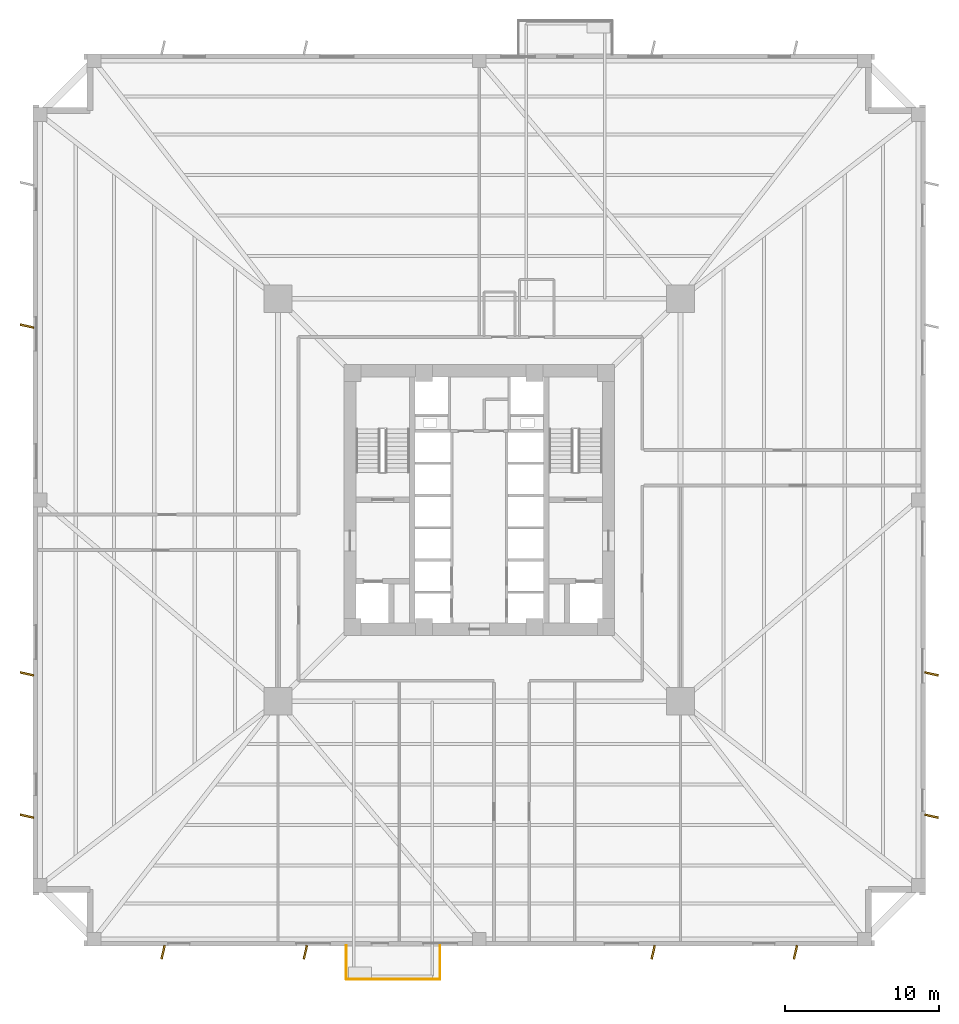
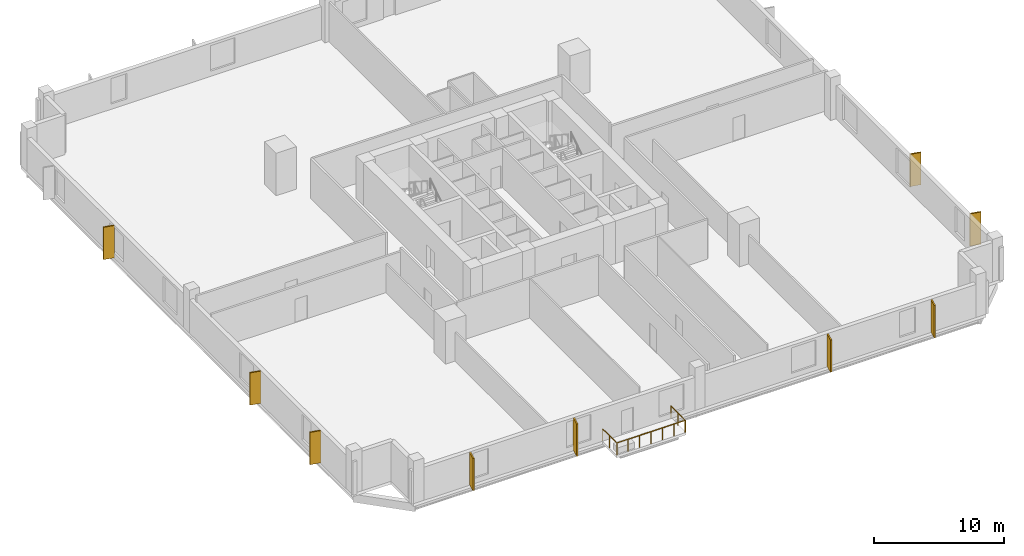
# One storey, part 6 of 8: 9 coverings, 3 railings.
"""IFC4 building model written with IfcOpenShell, lengths in metres."""

from ifc_helpers import new_model, si_unit, direction, frame, origin, origin_2d, place, context, subcontext, project, spatial, rectangle, circle, extrude, source, transform, mapped, material, layer, layer_set, type_object, element, save


model = new_model("IFC4")

# Units and contexts
model_context = context("Model", 3, precision=1e-05, world=origin(), true_north=direction((0.0, 1.0)))
body_context = subcontext(model_context, "Body", "Model", "MODEL_VIEW")
ifc_project = project(units=[si_unit("LENGTHUNIT", "METRE"), si_unit("AREAUNIT", "SQUARE_METRE"), si_unit("VOLUMEUNIT", "CUBIC_METRE"), si_unit("PLANEANGLEUNIT", "RADIAN"), si_unit("MASSUNIT", "GRAM", prefix="KILO"), si_unit("THERMODYNAMICTEMPERATUREUNIT", "KELVIN")], contexts=[model_context])

# Site, building, storey
site_placement = place(None, origin())
site = spatial("IfcSite", under=ifc_project, at=site_placement, CompositionType="ELEMENT")
building_placement = place(site_placement, origin())
building = spatial("IfcBuilding", under=site, at=building_placement, Name="Kosmvard Interchange Tower", CompositionType="ELEMENT")
storey_placement = place(building_placement, frame((0.0, 0.0, 54.0)))
storey = spatial("IfcBuildingStorey", under=building, at=storey_placement, Name="L12", CompositionType="ELEMENT", Elevation=54.0)

# Railings
ifc_material_1 = material(Name="Steel S355", Category="steel")
railing_type = type_object("IfcRailingType", Name="Observation & Balcony Glass-Infill Balustrade 1150", PredefinedType="BALUSTRADE", material=ifc_material_1)
shared_shape_1 = source(origin(), body_context, "Body", "SweptSolid", [
    extrude(circle(Radius=0.02392578125, at=origin_2d()), frame((0.0, 0.0, 1.1259765625), z_axis=(0.0, -1.0, 0.0), x_axis=(1.0, 0.0, 0.0)), (0.0, 0.0, 1.0), 2.199951171875),
    extrude(circle(Radius=0.02099609375, at=origin_2d()), origin(), (0.0, 0.0, 1.0), 1.101806640625),
    extrude(circle(Radius=0.02099609375, at=origin_2d()), frame((0.0, -1.10009765625, 0.0)), (0.0, 0.0, 1.0), 1.101806640625),
    extrude(circle(Radius=0.02099609375, at=origin_2d()), frame((0.0, -2.199951171875, 0.0)), (0.0, 0.0, 1.0), 1.101806640625),
])
railing_1_placement = place(storey_placement, frame((-8.64990234375, -28.949951171875, 0.0)))
element("IfcRailing", 1, at=railing_1_placement, inside=storey, type_object=railing_type, Name="L12 Outdoor Terrace Guard BAL-L12-S-A", PredefinedType="BALUSTRADE", context=body_context, shape_type="MappedRepresentation", body=[
    mapped(shared_shape_1, transform((0.0, 0.0, 0.0), scale=1.0)),
])
shared_shape_2 = source(origin(), body_context, "Body", "SweptSolid", [
    extrude(circle(Radius=0.02392578125, at=origin_2d()), frame((0.0, 0.0, 1.1259765625), z_axis=(1.0, 0.0, 0.0), x_axis=(0.0, 1.0, 0.0)), (0.0, 0.0, 1.0), 6.099853515625),
    extrude(circle(Radius=0.02099609375, at=origin_2d()), origin(), (0.0, 0.0, 1.0), 1.101806640625),
    extrude(circle(Radius=0.02099609375, at=origin_2d()), frame((1.0166015625, 0.0, 0.0)), (0.0, 0.0, 1.0), 1.101806640625),
    extrude(circle(Radius=0.02099609375, at=origin_2d()), frame((2.033203125, 0.0, 0.0)), (0.0, 0.0, 1.0), 1.101806640625),
    extrude(circle(Radius=0.02099609375, at=origin_2d()), frame((3.0498046875, 0.0, 0.0)), (0.0, 0.0, 1.0), 1.101806640625),
    extrude(circle(Radius=0.02099609375, at=origin_2d()), frame((4.066650390625, 0.0, 0.0)), (0.0, 0.0, 1.0), 1.101806640625),
    extrude(circle(Radius=0.02099609375, at=origin_2d()), frame((5.083251953125, 0.0, 0.0)), (0.0, 0.0, 1.0), 1.101806640625),
    extrude(circle(Radius=0.02099609375, at=origin_2d()), frame((6.099853515625, 0.0, 0.0)), (0.0, 0.0, 1.0), 1.101806640625),
])
railing_2_placement = place(storey_placement, frame((-8.64990234375, -31.14990234375, 0.0)))
element("IfcRailing", 2, at=railing_2_placement, inside=storey, type_object=railing_type, Name="L12 Outdoor Terrace Guard BAL-L12-S-B", PredefinedType="BALUSTRADE", context=body_context, shape_type="MappedRepresentation", body=[
    mapped(shared_shape_2, transform((0.0, 0.0, 0.0), scale=1.0)),
])
shared_shape_3 = source(origin(), body_context, "Body", "SweptSolid", [
    extrude(circle(Radius=0.02392578125, at=origin_2d()), frame((0.0, 0.0, 1.1259765625), z_axis=(0.0, 1.0, 0.0), x_axis=(-1.0, 0.0, 0.0)), (0.0, 0.0, 1.0), 2.199951171875),
    extrude(circle(Radius=0.02099609375, at=origin_2d()), origin(), (0.0, 0.0, 1.0), 1.101806640625),
    extrude(circle(Radius=0.02099609375, at=origin_2d()), frame((0.0, 1.10009765625, 0.0)), (0.0, 0.0, 1.0), 1.101806640625),
    extrude(circle(Radius=0.02099609375, at=origin_2d()), frame((0.0, 2.199951171875, 0.0)), (0.0, 0.0, 1.0), 1.101806640625),
])
railing_3_placement = place(storey_placement, frame((-2.550048828125, -31.14990234375, 0.0)))
element("IfcRailing", 3, at=railing_3_placement, inside=storey, type_object=railing_type, Name="L12 Outdoor Terrace Guard BAL-L12-S-C", PredefinedType="BALUSTRADE", context=body_context, shape_type="MappedRepresentation", body=[
    mapped(shared_shape_3, transform((0.0, 0.0, 0.0), scale=1.0)),
])

# Coverings
ifc_material_2 = material(Name="Architectural anodised aluminium", Category="aluminium")
ifc_layer = layer(ifc_material_2, 0.1201171875, Name="Architectural anodised aluminium")
ifc_layer_set = layer_set([ifc_layer], Name="Architectural anodised aluminium")
covering_type = type_object("IfcCoveringType", Name="Rotating Vertical Sun-Breaker Fin 900x120 Aluminium", PredefinedType="CLADDING", material=ifc_layer_set)
shared_shape_4 = source(origin(), body_context, "Body", "SweptSolid", [
    extrude(rectangle(XDim=0.89990234375, YDim=0.1201171875, at=origin_2d()), origin(), (0.0, 0.0, 1.0), 3.0400390625),
])
for number, where, z_axis, x_axis, name in (
    (4, (-20.552001953125, -29.39990234375, 0.0400390625), (0.0, 0.0, 1.0), (-0.222399391499, -0.974955645484, 0.0), "L12 Rotating Vertical Sun-Breaker Fin 01"),
    (5, (-11.3037109375, -29.39990234375, 0.0400390625), (0.0, 0.0, 1.0), (-0.222399391499, -0.974955645484, 0.0), "L12 Rotating Vertical Sun-Breaker Fin 02"),
    (6, (11.3037109375, -29.39990234375, 0.0400390625), (0.0, 0.0, 1.0), (-0.222399391499, -0.974955645484, 0.0), "L12 Rotating Vertical Sun-Breaker Fin 03"),
    (7, (20.552001953125, -29.39990234375, 0.0400390625), (0.0, 0.0, 1.0), (-0.222399391499, -0.974955645484, 0.0), "L12 Rotating Vertical Sun-Breaker Fin 04"),
    (8, (29.39990234375, -20.552001953125, 0.0400390625), (0.0, 0.0, 1.0), (0.974955645484, -0.222399391499, 0.0), "L12 Rotating Vertical Sun-Breaker Fin 05"),
    (9, (29.39990234375, -11.3037109375, 0.0400390625), (0.0, 0.0, 1.0), (0.974955645484, -0.222399391499, 0.0), "L12 Rotating Vertical Sun-Breaker Fin 06"),
    (10, (-29.39990234375, 11.3037109375, 0.0400390625), (0.0, 0.0, 1.0), (-0.974955645484, 0.222399391499, 0.0), "L12 Rotating Vertical Sun-Breaker Fin 14"),
    (11, (-29.39990234375, -11.3037109375, 0.0400390625), (0.0, 0.0, 1.0), (-0.974955645484, 0.222399391499, 0.0), "L12 Rotating Vertical Sun-Breaker Fin 15"),
    (12, (-29.39990234375, -20.552001953125, 0.0400390625), (0.0, 0.0, 1.0), (-0.974955645484, 0.222399391499, 0.0), "L12 Rotating Vertical Sun-Breaker Fin 16"),
):
    element("IfcCovering", number, at=place(storey_placement, frame(where, z_axis=z_axis, x_axis=x_axis)), inside=storey, type_object=covering_type, Name=name, PredefinedType="CLADDING", context=body_context, shape_type="MappedRepresentation", body=[
        mapped(shared_shape_4, transform((0.0, 0.0, 0.0), scale=1.0)),
    ])

save(model, "model.ifc")
